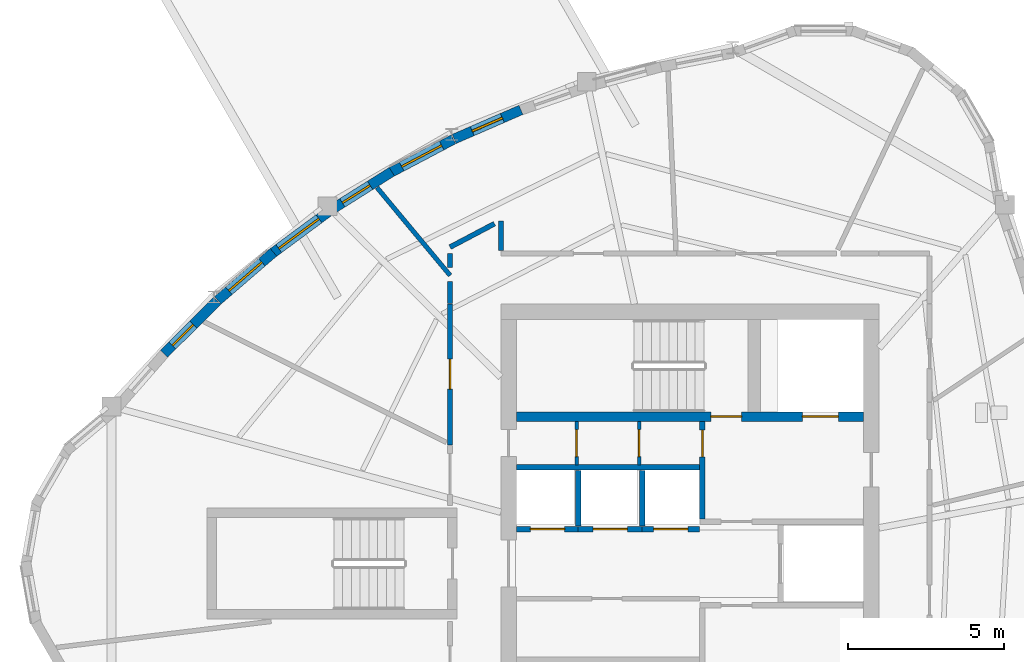
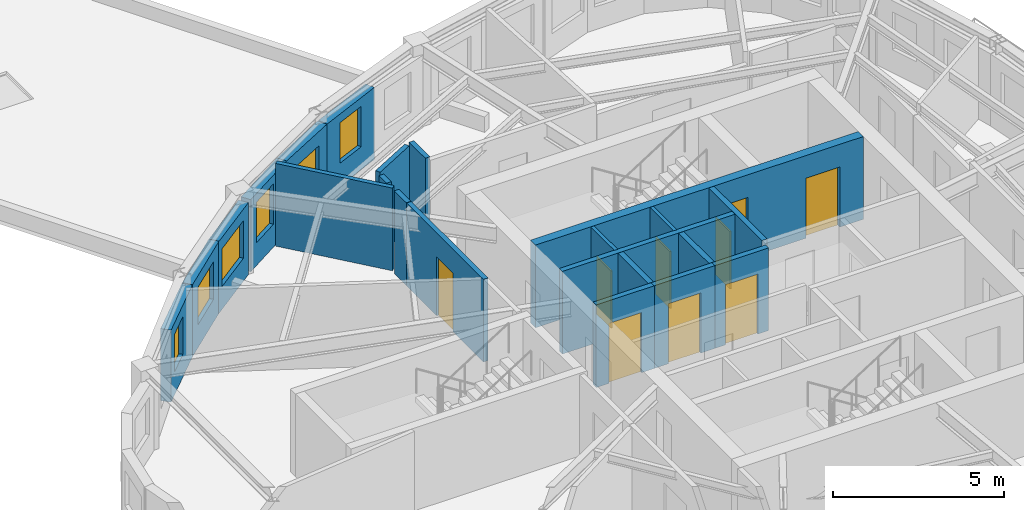
# One storey, part 5 of 11: 22 walls, 9 doors, 6 windows, 15 openings.
"""IFC4 building model written with IfcOpenShell, lengths in metres."""

import ifcopenshell
import ifcopenshell.guid

model = None  # the IFC model being written
_history = None  # IfcOwnerHistory: only IFC2X3 demands one
_inside = {}  # id of a spatial element -> (the spatial element, [elements in it])
_under = {}  # id of a project, library or spatial element -> (it, [spatial elements below it])
_declared = {}  # id of a project -> (the project, [libraries it declares])
_typed = {}  # id of a type object -> (the type object, [elements of that type])
_made_of = {}  # id of a material, layer set ... -> (it, [elements and type objects made of it])


def new_model(schema):
    """Start an empty IFC model of exactly this schema.

    Asked for "IFC4X3", IfcOpenShell would pick the latest addendum, in which some entities
    have other attributes; the version numbers below select the first issue.
    IFC2X3 requires an IfcOwnerHistory on every rooted entity: one is made here for all.
    """
    global model, _history
    if schema == "IFC4X3":
        model = ifcopenshell.file(schema_version=(4, 3, 0, 0))
    else:
        model = ifcopenshell.file(schema=schema)
    _inside.clear()
    _under.clear()
    _declared.clear()
    _typed.clear()
    _made_of.clear()
    _history = None
    if model.schema == "IFC2X3":
        org = make("IfcOrganization", Name="unknown")
        user = make(
            "IfcPersonAndOrganization",
            ThePerson=make("IfcPerson", FamilyName="unknown"),
            TheOrganization=org,
        )
        app = make(
            "IfcApplication",
            ApplicationDeveloper=org,
            Version="unknown",
            ApplicationFullName="unknown",
            ApplicationIdentifier="unknown",
        )
        _history = make(
            "IfcOwnerHistory",
            OwningUser=user,
            OwningApplication=app,
            ChangeAction="ADDED",
            CreationDate=0,
        )
    return model


def make(cls, **values):
    """One entity of the class cls with the attributes given. An attribute that is None is left unset."""
    return model.create_entity(
        cls, **{name: value for name, value in values.items() if value is not None}
    )


def rooted(cls, **values):
    """An entity with a GlobalId (a new one), such as an element, a storey or a relation."""
    return make(cls, GlobalId=ifcopenshell.guid.new(), OwnerHistory=_history, **values)


def si_unit(unit_type, name, prefix=None):
    """IfcSIUnit, for example si_unit("LENGTHUNIT", "METRE", prefix="MILLI")."""
    return make("IfcSIUnit", UnitType=unit_type, Prefix=prefix, Name=name)


def assignment(units):
    """IfcUnitAssignment: the units of a project."""
    return None if units is None else make("IfcUnitAssignment", Units=units)


def point(xyz):
    """IfcCartesianPoint."""
    return None if xyz is None else make("IfcCartesianPoint", Coordinates=xyz)


def direction(xyz):
    """IfcDirection."""
    return None if xyz is None else make("IfcDirection", DirectionRatios=xyz)


def frame(location, z_axis=None, x_axis=None):
    """IfcAxis2Placement3D, a coordinate frame: its origin and axes. An axis left out is left unset."""
    return make(
        "IfcAxis2Placement3D",
        Location=point(location),
        Axis=direction(z_axis),
        RefDirection=direction(x_axis),
    )


def frame_2d(location, x_axis=None):
    """IfcAxis2Placement2D, a coordinate frame in the plane: its origin and x axis."""
    return make(
        "IfcAxis2Placement2D", Location=point(location), RefDirection=direction(x_axis)
    )


def origin():
    """The frame at (0, 0, 0) with its axes left unset."""
    return frame((0.0, 0.0, 0.0))


def place(relative_to, where):
    """IfcLocalPlacement: puts the frame where relative to a parent placement (None: the world)."""
    return make(
        "IfcLocalPlacement", PlacementRelTo=relative_to, RelativePlacement=where
    )


def context(
    kind, dimensions, precision=None, world=None, true_north=None, identifier=None
):
    """IfcGeometricRepresentationContext, for example the 3D "Model" context."""
    return make(
        "IfcGeometricRepresentationContext",
        ContextIdentifier=identifier,
        ContextType=kind,
        CoordinateSpaceDimension=dimensions,
        Precision=precision,
        WorldCoordinateSystem=world,
        TrueNorth=true_north,
    )


def subcontext(parent, identifier, kind, view, scale=None):
    """IfcGeometricRepresentationSubContext, for example "Body" below "Model"."""
    return make(
        "IfcGeometricRepresentationSubContext",
        ContextIdentifier=identifier,
        ContextType=kind,
        ParentContext=parent,
        TargetScale=scale,
        TargetView=view,
    )


def project(units=None, contexts=None):
    """IfcProject with its units and contexts."""
    return rooted(
        "IfcProject",
        Name="project",
        RepresentationContexts=contexts,
        UnitsInContext=assignment(units),
    )


def spatial(cls, under=None, at=None, **own):
    """A site, building, storey or space (cls), placed at a placement, below another one or the project."""
    s = rooted(cls, ObjectPlacement=at, **own)
    if under is not None:
        _under.setdefault(under.id(), (under, []))[1].append(s)
    return s


def profile(cls, at=None, kind="AREA", **sizes):
    """A parametric profile (cls). Its sizes go by their IFC names, for example OverallWidth=200.0."""
    return make(cls, ProfileType=kind, Position=at, **sizes)


def rectangle(**sizes):
    """IfcRectangleProfileDef."""
    return profile("IfcRectangleProfileDef", **sizes)


def extrude(swept, where, along, depth):
    """IfcExtrudedAreaSolid: the profile swept, set in the frame where, extruded along a direction by depth."""
    return make(
        "IfcExtrudedAreaSolid",
        SweptArea=swept,
        Position=where,
        ExtrudedDirection=direction(along),
        Depth=depth,
    )


def shape(context_of_items, identifier, shape_type, items):
    """IfcShapeRepresentation: the items that make up one representation, for example the "Body"."""
    return make(
        "IfcShapeRepresentation",
        ContextOfItems=context_of_items,
        RepresentationIdentifier=identifier,
        RepresentationType=shape_type,
        Items=items,
    )


def source(mapping_origin, context_of_items, identifier, shape_type, items):
    """IfcRepresentationMap: a shape defined once, which mapped items show again and again."""
    return make(
        "IfcRepresentationMap",
        MappingOrigin=mapping_origin,
        MappedRepresentation=shape(context_of_items, identifier, shape_type, items),
    )


def transform(
    local_origin,
    x_axis=None,
    y_axis=None,
    z_axis=None,
    scale=None,
    scale2=None,
    scale3=None,
    uniform=True,
):
    """IfcCartesianTransformationOperator3D, or its non-uniform kind. x_axis, y_axis, z_axis: its Axis1, 2, 3."""
    if uniform:
        return make(
            "IfcCartesianTransformationOperator3D",
            Axis1=direction(x_axis),
            Axis2=direction(y_axis),
            LocalOrigin=point(local_origin),
            Scale=scale,
            Axis3=direction(z_axis),
        )
    return make(
        "IfcCartesianTransformationOperator3DnonUniform",
        Axis1=direction(x_axis),
        Axis2=direction(y_axis),
        LocalOrigin=point(local_origin),
        Scale=scale,
        Axis3=direction(z_axis),
        Scale2=scale2,
        Scale3=scale3,
    )


def mapped(mapping_source, mapping_target):
    """IfcMappedItem: shows the shape of a source again, moved by a transform."""
    return make(
        "IfcMappedItem", MappingSource=mapping_source, MappingTarget=mapping_target
    )


def material(Name=None, Category=None):
    """IfcMaterial."""
    return make("IfcMaterial", Name=Name, Category=Category)


def layer(
    of_material, thickness, ventilated=None, Name=None, Category=None, Priority=None
):
    """IfcMaterialLayer: one layer of a wall or slab, of a material (None: an air gap)."""
    return make(
        "IfcMaterialLayer",
        Material=of_material,
        LayerThickness=thickness,
        IsVentilated=ventilated,
        Name=Name,
        Category=Category,
        Priority=Priority,
    )


def layer_set(layers, Name=None):
    """IfcMaterialLayerSet."""
    return make("IfcMaterialLayerSet", MaterialLayers=layers, LayerSetName=Name)


def made_of(thing, what):
    """Note that an element or type object is made of a material, layer set ...; save() writes the relation."""
    if what is not None:
        _made_of.setdefault(what.id(), (what, []))[1].append(thing)
    return thing


def type_object(cls, material=None, **own):
    """A type object (cls), such as IfcWallType, which elements share."""
    return made_of(rooted(cls, **own), material)


def element(
    cls,
    number,
    at=None,
    inside=None,
    cuts=None,
    type_object=None,
    material=None,
    context=None,
    identifier="Body",
    shape_type=None,
    held_by="IfcProductDefinitionShape",
    body=None,
    shapes=None,
    **own,
):
    """One element of the class cls, such as IfcWall. Its Tag is "e" and its number.

    at: its placement. inside: the storey or other place that contains it. cuts: it is an
    opening in that element (IfcRelVoidsElement). A single representation is given by context,
    identifier, shape_type and body (its items); several are given by shapes. held_by: the class
    of the entity that holds the representations. save() writes the other relations.
    """
    e = rooted(cls, Tag="e%d" % number, ObjectPlacement=at, **own)
    if body is not None:
        shapes = [shape(context, identifier, shape_type, body)]
    if shapes is not None:
        e.Representation = make(held_by, Representations=shapes)
    if inside is not None:
        _inside.setdefault(inside.id(), (inside, []))[1].append(e)
    if cuts is not None:
        rooted(
            "IfcRelVoidsElement", RelatingBuildingElement=cuts, RelatedOpeningElement=e
        )
    if type_object is not None:
        _typed.setdefault(type_object.id(), (type_object, []))[1].append(e)
    return made_of(e, material)


def fill(opening, filler):
    """IfcRelFillsElement: the door or window that sits in an opening."""
    return rooted(
        "IfcRelFillsElement",
        RelatingOpeningElement=opening,
        RelatedBuildingElement=filler,
    )


def aggregate(whole, parts):
    """IfcRelAggregates: a whole, such as a stair, and the parts it consists of."""
    return rooted("IfcRelAggregates", RelatingObject=whole, RelatedObjects=parts)


def save(model, path):
    """Write the relations noted so far, then the file.

    IfcRelAggregates (storeys below a building ...), IfcRelContainedInSpatialStructure (elements
    in a storey), IfcRelDefinesByType, IfcRelAssociatesMaterial and IfcRelDeclares: one each for
    every whole, place, type object, material and project.
    """
    for whole, parts in _under.values():
        aggregate(whole, parts)
    for where, things in _inside.values():
        rooted(
            "IfcRelContainedInSpatialStructure",
            RelatedElements=things,
            RelatingStructure=where,
        )
    for kind, things in _typed.values():
        rooted("IfcRelDefinesByType", RelatedObjects=things, RelatingType=kind)
    for what, things in _made_of.values():
        rooted("IfcRelAssociatesMaterial", RelatedObjects=things, RelatingMaterial=what)
    for by, libraries in _declared.values():
        rooted("IfcRelDeclares", RelatingContext=by, RelatedDefinitions=libraries)
    model.write(path)


model = new_model("IFC4")

# Units and contexts
model_context = context("Model", 3, precision=1e-05, world=origin(), true_north=direction((0.0, 1.0)))
body_context = subcontext(model_context, "Body", "Model", "MODEL_VIEW")
ifc_project = project(units=[si_unit("LENGTHUNIT", "METRE"), si_unit("AREAUNIT", "SQUARE_METRE"), si_unit("VOLUMEUNIT", "CUBIC_METRE"), si_unit("PLANEANGLEUNIT", "RADIAN"), si_unit("MASSUNIT", "GRAM", prefix="KILO")], contexts=[model_context])

# Site, building, storey
site_placement = place(None, origin())
site = spatial("IfcSite", under=ifc_project, at=site_placement, CompositionType="ELEMENT")
building_placement = place(site_placement, origin())
building = spatial("IfcBuilding", under=site, at=building_placement, Name="Qafzar Sky-Pleat Residences", CompositionType="ELEMENT")
storey_placement = place(building_placement, frame((0.0, 0.0, 214.800048828125)))
storey = spatial("IfcBuildingStorey", under=building, at=storey_placement, Name="L64", CompositionType="ELEMENT", Elevation=214.800048828125)

# Wall, opening, door
ifc_material_1 = material(Name="Acoustic gypsum plasterboard partition", Category="gypsum")
ifc_layer_1 = layer(ifc_material_1, 0.159912109375)
ifc_layer_set_1 = layer_set([ifc_layer_1], Name="Acoustic gypsum plasterboard partition")
wall_type_1 = type_object("IfcWallType", Name="PART-COR-160", PredefinedType="PARTITIONING", material=ifc_layer_set_1)
wall_1_placement = place(storey_placement, frame((22.679931640625, 29.798095703125, 0.0), z_axis=(0.0, 0.0, 1.0), x_axis=(0.0, 1.0, 0.0)))
wall_1 = element("IfcWall", 1, at=wall_1_placement, inside=storey, type_object=wall_type_1, Name="L64 Partition Wall PART-L64-PW-005", PredefinedType="PARTITIONING", context=body_context, shape_type="SweptSolid", body=[
    extrude(rectangle(XDim=4.501953125, YDim=0.159912109375, at=frame_2d((2.2509765625, 0.0))), origin(), (0.0, 0.0, 1.0), 2.9599609375),
])
opening_1_placement = place(wall_1_placement, frame((1.779541015625, 0.0, 0.0)))
opening_1 = element("IfcOpeningElement", 2, at=opening_1_placement, cuts=wall_1, Name="Opening ID-06", PredefinedType="OPENING", context=body_context, shape_type="SweptSolid", body=[
    extrude(rectangle(XDim=0.9599609375, YDim=2.10009765625, at=frame_2d((0.47998046875, 1.050048828125))), frame((0.0, 0.08984375, 0.0), z_axis=(0.0, -1.0, 0.0), x_axis=(1.0, 0.0, 0.0)), (0.0, 0.0, 1.0), 0.179931640625),
])
ifc_material_2 = material(Name="Timber-faced fire door", Category="wood")
door_type_1 = type_object("IfcDoorType", Name="DR-STD-960", OperationType="NOTDEFINED", PredefinedType="DOOR", material=ifc_material_2)
shared_shape_1 = source(origin(), body_context, "Body", "SweptSolid", [
    extrude(rectangle(XDim=0.9599609375, YDim=2.10009765625, at=frame_2d((0.47998046875, 1.050048828125))), frame((0.0, 0.02490234375, 0.0), z_axis=(0.0, -1.0, 0.0), x_axis=(1.0, 0.0, 0.0)), (0.0, 0.0, 1.0), 0.050048828125),
])
door_1_placement = place(opening_1_placement, origin())
door_1 = element("IfcDoor", 3, at=door_1_placement, inside=storey, type_object=door_type_1, Name="L64 Wellness Yoga Studio Door", OperationType="SINGLE_SWING_RIGHT", OverallHeight=2.10009765625, OverallWidth=0.9599609375, PredefinedType="DOOR", context=body_context, shape_type="MappedRepresentation", body=[
    mapped(shared_shape_1, transform((0.0, 0.0, 0.0), x_axis=(1.0, 0.0, 0.0), y_axis=(0.0, 1.0, 0.0), z_axis=(0.0, 0.0, 1.0), scale=1.0)),
])
fill(opening_1, door_1)

# Walls
wall_2_placement = place(storey_placement, frame((22.679931640625, 36.1220703125, 0.0), z_axis=(0.0, 0.0, 1.0), x_axis=(0.884468554818, 0.466599802335, 0.0)))
element("IfcWall", 4, at=wall_2_placement, inside=storey, type_object=wall_type_1, Name="L64 Partition Wall PART-L64-PW-025", PredefinedType="PARTITIONING", context=body_context, shape_type="SweptSolid", body=[
    extrude(rectangle(XDim=1.603271484375, YDim=0.159912109375, at=frame_2d((0.8017578125, 0.0))), origin(), (0.0, 0.0, 1.0), 2.9599609375),
])
wall_3_placement = place(storey_placement, frame((24.300048828125, 36.008056640625, 0.0), z_axis=(0.0, 0.0, 1.0), x_axis=(0.0, 1.0, 0.0)))
element("IfcWall", 5, at=wall_3_placement, inside=storey, type_object=wall_type_1, Name="L64 Partition Wall PART-L64-PW-027", PredefinedType="PARTITIONING", context=body_context, shape_type="SweptSolid", body=[
    extrude(rectangle(XDim=0.949951171875, YDim=0.159912109375, at=frame_2d((0.47509765625, 0.0))), origin(), (0.0, 0.0, 1.0), 2.9599609375),
])
wall_4_placement = place(storey_placement, frame((22.679931640625, 34.31494140625, 0.0), z_axis=(0.0, 0.0, 1.0), x_axis=(0.0, 1.0, 0.0)))
element("IfcWall", 6, at=wall_4_placement, inside=storey, type_object=wall_type_1, Name="L64 Partition Wall PART-L64-PW-028", PredefinedType="PARTITIONING", context=body_context, shape_type="SweptSolid", body=[
    extrude(rectangle(XDim=0.70654296875, YDim=0.159912109375, at=frame_2d((0.353271484375, 0.0))), origin(), (0.0, 0.0, 1.0), 2.9599609375),
])
wall_5_placement = place(storey_placement, frame((22.679931640625, 35.471435546875, 0.0), z_axis=(0.0, 0.0, 1.0), x_axis=(0.0, 1.0, 0.0)))
element("IfcWall", 7, at=wall_5_placement, inside=storey, type_object=wall_type_1, Name="L64 Partition Wall PART-L64-PW-029", PredefinedType="PARTITIONING", context=body_context, shape_type="SweptSolid", body=[
    extrude(rectangle(XDim=0.448486328125, YDim=0.159912109375, at=frame_2d((0.22412109375, 0.0))), origin(), (0.0, 0.0, 1.0), 2.9599609375),
])

# Wall, opening, door
ifc_material_3 = material(Name="Concrete blockwork partition", Category="masonry")
ifc_layer_2 = layer(ifc_material_3, 0.179931640625)
ifc_layer_set_2 = layer_set([ifc_layer_2], Name="Concrete blockwork partition")
wall_type_2 = type_object("IfcWallType", Name="PART-SHAFT-180", PredefinedType="PARTITIONING", material=ifc_layer_set_2)
wall_6_placement = place(storey_placement, frame((30.75, 27.429931640625, 0.0), z_axis=(0.0, 0.0, 1.0), x_axis=(0.0, 1.0, 0.0)))
wall_6 = element("IfcWall", 8, at=wall_6_placement, inside=storey, type_object=wall_type_2, Name="L64 Partition Wall PART-L64-FFL2-W", PredefinedType="PARTITIONING", context=body_context, shape_type="SweptSolid", body=[
    extrude(rectangle(XDim=3.110107421875, YDim=0.179931640625, at=frame_2d((1.55517578125, 0.0))), origin(), (0.0, 0.0, 1.0), 2.9599609375),
])
opening_2_placement = place(wall_6_placement, frame((1.97998046875, 0.0, 0.0)))
opening_2 = element("IfcOpeningElement", 9, at=opening_2_placement, cuts=wall_6, Name="Opening ID-09", PredefinedType="OPENING", context=body_context, shape_type="SweptSolid", body=[
    extrude(rectangle(XDim=0.860107421875, YDim=2.050048828125, at=frame_2d((0.43017578125, 1.02490234375))), frame((0.0, 0.10009765625, 0.0), z_axis=(0.0, -1.0, 0.0), x_axis=(1.0, 0.0, 0.0)), (0.0, 0.0, 1.0), 0.199951171875),
])
door_type_2 = type_object("IfcDoorType", Name="DR-SVC-860", OperationType="NOTDEFINED", PredefinedType="DOOR", material=ifc_material_2)
shared_shape_2 = source(origin(), body_context, "Body", "SweptSolid", [
    extrude(rectangle(XDim=0.860107421875, YDim=2.050048828125, at=frame_2d((0.43017578125, 1.02490234375))), frame((0.0, 0.02490234375, 0.0), z_axis=(0.0, -1.0, 0.0), x_axis=(1.0, 0.0, 0.0)), (0.0, 0.0, 1.0), 0.050048828125),
])
door_2_placement = place(opening_2_placement, origin())
door_2 = element("IfcDoor", 10, at=door_2_placement, inside=storey, type_object=door_type_2, Name="L64 North Core Cupboard Door", OperationType="SINGLE_SWING_LEFT", OverallHeight=2.050048828125, OverallWidth=0.860107421875, PredefinedType="DOOR", context=body_context, shape_type="MappedRepresentation", body=[
    mapped(shared_shape_2, transform((0.0, 0.0, 0.0), x_axis=(1.0, 0.0, 0.0), y_axis=(0.0, 1.0, 0.0), z_axis=(0.0, 0.0, 1.0), scale=1.0)),
])
fill(opening_2, door_2)

# Wall
wall_7_placement = place(storey_placement, frame((24.81005859375, 29.080078125, 0.0), z_axis=(0.0, 0.0, 1.0), x_axis=(1.0, 0.0, 0.0)))
element("IfcWall", 11, at=wall_7_placement, inside=storey, type_object=wall_type_2, Name="L64 Partition Wall PART-L64-P46-N", PredefinedType="PARTITIONING", context=body_context, shape_type="SweptSolid", body=[
    extrude(rectangle(XDim=5.83984375, YDim=0.179931640625, at=frame_2d((2.919921875, 0.0))), origin(), (0.0, 0.0, 1.0), 2.9599609375),
])

# Wall, opening, door
wall_8_placement = place(storey_placement, frame((24.81005859375, 27.10009765625, 0.0), z_axis=(0.0, 0.0, 1.0), x_axis=(1.0, 0.0, 0.0)))
wall_8 = element("IfcWall", 12, at=wall_8_placement, inside=storey, type_object=wall_type_2, Name="L64 Partition Wall PART-L64-P4-S", PredefinedType="PARTITIONING", context=body_context, shape_type="SweptSolid", body=[
    extrude(rectangle(XDim=1.96484375, YDim=0.179931640625, at=frame_2d((0.982421875, 0.0))), origin(), (0.0, 0.0, 1.0), 2.9599609375),
])
opening_3_placement = place(wall_8_placement, frame((0.4326171875, 0.0, 0.0)))
opening_3 = element("IfcOpeningElement", 13, at=opening_3_placement, cuts=wall_8, Name="Opening LD-01", PredefinedType="OPENING", context=body_context, shape_type="SweptSolid", body=[
    extrude(rectangle(XDim=1.10009765625, YDim=2.14990234375, at=frame_2d((0.550048828125, 1.074951171875))), frame((0.0, 0.10009765625, 0.0), z_axis=(0.0, -1.0, 0.0), x_axis=(1.0, 0.0, 0.0)), (0.0, 0.0, 1.0), 0.199951171875),
])
ifc_material_4 = material(Name="Stainless steel sliding landing door", Category="steel")
door_type_3 = type_object("IfcDoorType", Name="DR-LIFT-P", OperationType="DOUBLE_DOOR_SLIDING", PredefinedType="DOOR", material=ifc_material_4)
shared_shape_3 = source(origin(), body_context, "Body", "SweptSolid", [
    extrude(rectangle(XDim=1.10009765625, YDim=2.14990234375, at=frame_2d((0.550048828125, 1.074951171875))), frame((0.0, 0.02490234375, 0.0), z_axis=(0.0, -1.0, 0.0), x_axis=(1.0, 0.0, 0.0)), (0.0, 0.0, 1.0), 0.050048828125),
])
door_3_placement = place(opening_3_placement, origin())
door_3 = element("IfcDoor", 14, at=door_3_placement, inside=storey, type_object=door_type_3, Name="L64 Passenger Lift P4 Landing Door", OperationType="DOUBLE_DOOR_SLIDING", OverallHeight=2.14990234375, OverallWidth=1.10009765625, PredefinedType="DOOR", context=body_context, shape_type="MappedRepresentation", body=[
    mapped(shared_shape_3, transform((0.0, 0.0, 0.0), x_axis=(1.0, 0.0, 0.0), y_axis=(0.0, 1.0, 0.0), z_axis=(0.0, 0.0, 1.0), scale=1.0)),
])
fill(opening_3, door_3)

wall_9_placement = place(storey_placement, frame((26.77490234375, 27.10009765625, 0.0), z_axis=(0.0, 0.0, 1.0), x_axis=(1.0, 0.0, 0.0)))
wall_9 = element("IfcWall", 15, at=wall_9_placement, inside=storey, type_object=wall_type_2, Name="L64 Partition Wall PART-L64-P5-S", PredefinedType="PARTITIONING", context=body_context, shape_type="SweptSolid", body=[
    extrude(rectangle(XDim=2.050048828125, YDim=0.179931640625, at=frame_2d((1.02490234375, 0.0))), origin(), (0.0, 0.0, 1.0), 2.9599609375),
])
opening_4_placement = place(wall_9_placement, frame((0.47509765625, 0.0, 0.0)))
opening_4 = element("IfcOpeningElement", 16, at=opening_4_placement, cuts=wall_9, Name="Opening LD-01", PredefinedType="OPENING", context=body_context, shape_type="SweptSolid", body=[
    extrude(rectangle(XDim=1.10009765625, YDim=2.14990234375, at=frame_2d((0.550048828125, 1.074951171875))), frame((0.0, 0.10009765625, 0.0), z_axis=(0.0, -1.0, 0.0), x_axis=(1.0, 0.0, 0.0)), (0.0, 0.0, 1.0), 0.199951171875),
])
door_4_placement = place(opening_4_placement, origin())
door_4 = element("IfcDoor", 17, at=door_4_placement, inside=storey, type_object=door_type_3, Name="L64 Passenger Lift P5 Landing Door", OperationType="DOUBLE_DOOR_SLIDING", OverallHeight=2.14990234375, OverallWidth=1.10009765625, PredefinedType="DOOR", context=body_context, shape_type="MappedRepresentation", body=[
    mapped(shared_shape_3, transform((0.0, 0.0, 0.0), x_axis=(1.0, 0.0, 0.0), y_axis=(0.0, 1.0, 0.0), z_axis=(0.0, 0.0, 1.0), scale=1.0)),
])
fill(opening_4, door_4)

# Wall
wall_10_placement = place(storey_placement, frame((26.77490234375, 27.199951171875, 0.0), z_axis=(0.0, 0.0, 1.0), x_axis=(0.0, 1.0, 0.0)))
element("IfcWall", 18, at=wall_10_placement, inside=storey, type_object=wall_type_2, Name="L64 Partition Wall PART-L64-P46-DIV-1", PredefinedType="PARTITIONING", context=body_context, shape_type="SweptSolid", body=[
    extrude(rectangle(XDim=1.780029296875, YDim=0.179931640625, at=frame_2d((0.89013671875, 0.0))), origin(), (0.0, 0.0, 1.0), 2.9599609375),
])

# Wall, opening, door
wall_11_placement = place(storey_placement, frame((28.824951171875, 27.10009765625, 0.0), z_axis=(0.0, 0.0, 1.0), x_axis=(1.0, 0.0, 0.0)))
wall_11 = element("IfcWall", 19, at=wall_11_placement, inside=storey, type_object=wall_type_2, Name="L64 Partition Wall PART-L64-P6-S", PredefinedType="PARTITIONING", context=body_context, shape_type="SweptSolid", body=[
    extrude(rectangle(XDim=1.824951171875, YDim=0.179931640625, at=frame_2d((0.91259765625, 0.0))), origin(), (0.0, 0.0, 1.0), 2.9599609375),
])
opening_5_placement = place(wall_11_placement, frame((0.362548828125, 0.0, 0.0)))
opening_5 = element("IfcOpeningElement", 20, at=opening_5_placement, cuts=wall_11, Name="Opening LD-01", PredefinedType="OPENING", context=body_context, shape_type="SweptSolid", body=[
    extrude(rectangle(XDim=1.10009765625, YDim=2.14990234375, at=frame_2d((0.550048828125, 1.074951171875))), frame((0.0, 0.10009765625, 0.0), z_axis=(0.0, -1.0, 0.0), x_axis=(1.0, 0.0, 0.0)), (0.0, 0.0, 1.0), 0.199951171875),
])
door_5_placement = place(opening_5_placement, origin())
door_5 = element("IfcDoor", 21, at=door_5_placement, inside=storey, type_object=door_type_3, Name="L64 Passenger Lift P6 Landing Door", OperationType="DOUBLE_DOOR_SLIDING", OverallHeight=2.14990234375, OverallWidth=1.10009765625, PredefinedType="DOOR", context=body_context, shape_type="MappedRepresentation", body=[
    mapped(shared_shape_3, transform((0.0, 0.0, 0.0), x_axis=(1.0, 0.0, 0.0), y_axis=(0.0, 1.0, 0.0), z_axis=(0.0, 0.0, 1.0), scale=1.0)),
])
fill(opening_5, door_5)

# Wall
wall_12_placement = place(storey_placement, frame((28.824951171875, 27.199951171875, 0.0), z_axis=(0.0, 0.0, 1.0), x_axis=(0.0, 1.0, 0.0)))
element("IfcWall", 22, at=wall_12_placement, inside=storey, type_object=wall_type_2, Name="L64 Partition Wall PART-L64-P46-DIV-2", PredefinedType="PARTITIONING", context=body_context, shape_type="SweptSolid", body=[
    extrude(rectangle(XDim=1.780029296875, YDim=0.179931640625, at=frame_2d((0.89013671875, 0.0))), origin(), (0.0, 0.0, 1.0), 2.9599609375),
])

# Wall, opening, door
ifc_material_5 = material(Name="Gypsum plasterboard partition", Category="gypsum")
ifc_layer_3 = layer(ifc_material_5, 0.114990234375)
ifc_layer_set_3 = layer_set([ifc_layer_3], Name="Gypsum plasterboard partition")
wall_type_3 = type_object("IfcWallType", Name="PART-SVC-115", PredefinedType="PARTITIONING", material=ifc_layer_set_3)
wall_13_placement = place(storey_placement, frame((26.72509765625, 29.159912109375, 0.0), z_axis=(0.0, 0.0, 1.0), x_axis=(0.0, 1.0, 0.0)))
wall_13 = element("IfcWall", 23, at=wall_13_placement, inside=storey, type_object=wall_type_3, Name="L64 Partition Wall PART-L64-KC-NW-1", PredefinedType="PARTITIONING", context=body_context, shape_type="SweptSolid", body=[
    extrude(rectangle(XDim=1.380126953125, YDim=0.114990234375, at=frame_2d((0.68994140625, 0.0))), origin(), (0.0, 0.0, 1.0), 2.9599609375),
])
opening_6_placement = place(wall_13_placement, frame((0.260009765625, 0.0, 0.0)))
opening_6 = element("IfcOpeningElement", 24, at=opening_6_placement, cuts=wall_13, Name="Opening ID-09", PredefinedType="OPENING", context=body_context, shape_type="SweptSolid", body=[
    extrude(rectangle(XDim=0.860107421875, YDim=2.050048828125, at=frame_2d((0.43017578125, 1.02490234375))), frame((0.0, 0.0673828125, 0.0), z_axis=(0.0, -1.0, 0.0), x_axis=(1.0, 0.0, 0.0)), (0.0, 0.0, 1.0), 0.135009765625),
])
door_6_placement = place(opening_6_placement, origin())
door_6 = element("IfcDoor", 25, at=door_6_placement, inside=storey, type_object=door_type_2, Name="L64 Core North Cupboard 1 Door", OperationType="SINGLE_SWING_LEFT", OverallHeight=2.050048828125, OverallWidth=0.860107421875, PredefinedType="DOOR", context=body_context, shape_type="MappedRepresentation", body=[
    mapped(shared_shape_2, transform((0.0, 0.0, 0.0), x_axis=(1.0, 0.0, 0.0), y_axis=(0.0, 1.0, 0.0), z_axis=(0.0, 0.0, 1.0), scale=1.0)),
])
fill(opening_6, door_6)

wall_14_placement = place(storey_placement, frame((28.72509765625, 29.159912109375, 0.0), z_axis=(0.0, 0.0, 1.0), x_axis=(0.0, 1.0, 0.0)))
wall_14 = element("IfcWall", 26, at=wall_14_placement, inside=storey, type_object=wall_type_3, Name="L64 Partition Wall PART-L64-KC-NW-2", PredefinedType="PARTITIONING", context=body_context, shape_type="SweptSolid", body=[
    extrude(rectangle(XDim=1.380126953125, YDim=0.114990234375, at=frame_2d((0.68994140625, 0.0))), origin(), (0.0, 0.0, 1.0), 2.9599609375),
])
opening_7_placement = place(wall_14_placement, frame((0.260009765625, 0.0, 0.0)))
opening_7 = element("IfcOpeningElement", 27, at=opening_7_placement, cuts=wall_14, Name="Opening ID-09", PredefinedType="OPENING", context=body_context, shape_type="SweptSolid", body=[
    extrude(rectangle(XDim=0.860107421875, YDim=2.050048828125, at=frame_2d((0.43017578125, 1.02490234375))), frame((0.0, 0.0673828125, 0.0), z_axis=(0.0, -1.0, 0.0), x_axis=(1.0, 0.0, 0.0)), (0.0, 0.0, 1.0), 0.135009765625),
])
door_7_placement = place(opening_7_placement, origin())
door_7 = element("IfcDoor", 28, at=door_7_placement, inside=storey, type_object=door_type_2, Name="L64 Core North Cupboard 2 Door", OperationType="SINGLE_SWING_LEFT", OverallHeight=2.050048828125, OverallWidth=0.860107421875, PredefinedType="DOOR", context=body_context, shape_type="MappedRepresentation", body=[
    mapped(shared_shape_2, transform((0.0, 0.0, 0.0), x_axis=(1.0, 0.0, 0.0), y_axis=(0.0, 1.0, 0.0), z_axis=(0.0, 0.0, 1.0), scale=1.0)),
])
fill(opening_7, door_7)

# Wall
ifc_layer_4 = layer(ifc_material_1, 0.14501953125)
ifc_layer_set_4 = layer_set([ifc_layer_4], Name="Acoustic gypsum plasterboard partition")
wall_type_4 = type_object("IfcWallType", Name="PART-UNIT-145", PredefinedType="PARTITIONING", material=ifc_layer_set_4)
wall_15_placement = place(storey_placement, frame((20.3408203125, 38.025390625, 0.0), z_axis=(0.0, 0.0, 1.0), x_axis=(0.639731122463, -0.768598784121, 0.0)))
element("IfcWall", 29, at=wall_15_placement, inside=storey, type_object=wall_type_4, Name="L64 Partition Wall PART-L64-PW-020", PredefinedType="PARTITIONING", context=body_context, shape_type="SweptSolid", body=[
    extrude(rectangle(XDim=3.656494140625, YDim=0.14501953125, at=frame_2d((1.828125, 0.0))), origin(), (0.0, 0.0, 1.0), 2.9599609375),
])

# Wall, opening, window
ifc_material_6 = material(Name="Precast concrete C40/50 with honed Riyadh limestone", Category="concrete")
ifc_layer_5 = layer(ifc_material_6, 0.320068359375)
ifc_layer_set_5 = layer_set([ifc_layer_5], Name="Precast concrete C40/50 with honed Riyadh limestone")
wall_type_5 = type_object("IfcWallType", Name="WALL-EXT-320", PredefinedType="SOLIDWALL", material=ifc_layer_set_5)
wall_16_placement = place(storey_placement, frame((24.9453125, 40.509765625, 0.0), z_axis=(0.0, 0.0, 1.0), x_axis=(-0.917060051629, -0.39874912126, 0.0)))
wall_16 = element("IfcWall", 30, at=wall_16_placement, inside=storey, type_object=wall_type_5, Name="L64 Limestone Facade Wall 42", PredefinedType="SOLIDWALL", context=body_context, shape_type="SweptSolid", body=[
    extrude(rectangle(XDim=2.327880859375, YDim=0.320068359375, at=frame_2d((1.1640625, 0.0))), origin(), (0.0, 0.0, 1.0), 2.579833984375),
])
opening_8_placement = place(wall_16_placement, frame((0.64892578125, 0.0, 0.820068359375)))
opening_8 = element("IfcOpeningElement", 31, at=opening_8_placement, cuts=wall_16, Name="Opening WN-06", PredefinedType="OPENING", context=body_context, shape_type="SweptSolid", body=[
    extrude(rectangle(XDim=1.050048828125, YDim=1.449951171875, at=frame_2d((0.52490234375, 0.72509765625))), frame((0.0, 0.169921875, 0.0), z_axis=(0.0, -1.0, 0.0), x_axis=(1.0, 0.0, 0.0)), (0.0, 0.0, 1.0), 0.340087890625),
])
ifc_material_7 = material(Name="Solar-control low-E glass in bronze aluminium frame", Category="glass")
window_type_1 = type_object("IfcWindowType", Name="WIN-06", PartitioningType="SINGLE_PANEL", PredefinedType="WINDOW", material=ifc_material_7)
shared_shape_4 = source(origin(), body_context, "Body", "SweptSolid", [
    extrude(rectangle(XDim=1.050048828125, YDim=1.449951171875, at=frame_2d((0.52490234375, 0.72509765625))), frame((0.0, 0.030029296875, 0.0), z_axis=(0.0, -1.0, 0.0), x_axis=(1.0, 0.0, 0.0)), (0.0, 0.0, 1.0), 0.06005859375),
])
window_1_placement = place(opening_8_placement, origin())
window_1 = element("IfcWindow", 32, at=window_1_placement, inside=storey, type_object=window_type_1, Name="L64 Punched Facade Window 42", OverallHeight=1.449951171875, OverallWidth=1.050048828125, PartitioningType="SINGLE_PANEL", PredefinedType="WINDOW", context=body_context, shape_type="MappedRepresentation", body=[
    mapped(shared_shape_4, transform((0.0, 0.0, 0.0), x_axis=(1.0, 0.0, 0.0), y_axis=(0.0, 1.0, 0.0), z_axis=(0.0, 0.0, 1.0), scale=1.0)),
])
fill(opening_8, window_1)

wall_17_placement = place(storey_placement, frame((22.785400390625, 39.569580078125, 0.0), z_axis=(0.0, 0.0, 1.0), x_axis=(-0.884379914657, -0.466767786541, 0.0)))
wall_17 = element("IfcWall", 33, at=wall_17_placement, inside=storey, type_object=wall_type_5, Name="L64 Limestone Facade Wall 43", PredefinedType="SOLIDWALL", context=body_context, shape_type="SweptSolid", body=[
    extrude(rectangle(XDim=2.314453125, YDim=0.320068359375, at=frame_2d((1.1572265625, 0.0))), origin(), (0.0, 0.0, 1.0), 2.579833984375),
])
opening_9_placement = place(wall_17_placement, frame((0.42236328125, 0.0, 0.820068359375)))
opening_9 = element("IfcOpeningElement", 34, at=opening_9_placement, cuts=wall_17, Name="Opening WN-15", PredefinedType="OPENING", context=body_context, shape_type="SweptSolid", body=[
    extrude(rectangle(XDim=1.449951171875, YDim=1.25, at=frame_2d((0.72509765625, 0.625))), frame((0.0, 0.169921875, 0.0), z_axis=(0.0, -1.0, 0.0), x_axis=(1.0, 0.0, 0.0)), (0.0, 0.0, 1.0), 0.340087890625),
])
window_type_2 = type_object("IfcWindowType", Name="WIN-15", PartitioningType="SINGLE_PANEL", PredefinedType="WINDOW", material=ifc_material_7)
shared_shape_5 = source(origin(), body_context, "Body", "SweptSolid", [
    extrude(rectangle(XDim=1.449951171875, YDim=1.25, at=frame_2d((0.72509765625, 0.625))), frame((0.0, 0.030029296875, 0.0), z_axis=(0.0, -1.0, 0.0), x_axis=(1.0, 0.0, 0.0)), (0.0, 0.0, 1.0), 0.06005859375),
])
window_2_placement = place(opening_9_placement, origin())
window_2 = element("IfcWindow", 35, at=window_2_placement, inside=storey, type_object=window_type_2, Name="L64 Punched Facade Window 43", OverallHeight=1.25, OverallWidth=1.449951171875, PartitioningType="SINGLE_PANEL", PredefinedType="WINDOW", context=body_context, shape_type="MappedRepresentation", body=[
    mapped(shared_shape_5, transform((0.0, 0.0, 0.0), x_axis=(1.0, 0.0, 0.0), y_axis=(0.0, 1.0, 0.0), z_axis=(0.0, 0.0, 1.0), scale=1.0)),
])
fill(opening_9, window_2)

wall_18_placement = place(storey_placement, frame((20.814697265625, 38.533203125, 0.0), z_axis=(0.0, 0.0, 1.0), x_axis=(-0.846418054627, -0.532518991963, 0.0)))
wall_18 = element("IfcWall", 36, at=wall_18_placement, inside=storey, type_object=wall_type_5, Name="L64 Limestone Facade Wall 44", PredefinedType="SOLIDWALL", context=body_context, shape_type="SweptSolid", body=[
    extrude(rectangle(XDim=2.24462890625, YDim=0.320068359375, at=frame_2d((1.122314453125, 0.0))), origin(), (0.0, 0.0, 1.0), 2.579833984375),
])
opening_10_placement = place(wall_18_placement, frame((0.81982421875, 0.0, 0.820068359375)))
opening_10 = element("IfcOpeningElement", 37, at=opening_10_placement, cuts=wall_18, Name="Opening WN-06", PredefinedType="OPENING", context=body_context, shape_type="SweptSolid", body=[
    extrude(rectangle(XDim=1.050048828125, YDim=1.449951171875, at=frame_2d((0.52490234375, 0.72509765625))), frame((0.0, 0.169921875, 0.0), z_axis=(0.0, -1.0, 0.0), x_axis=(1.0, 0.0, 0.0)), (0.0, 0.0, 1.0), 0.340087890625),
])
window_3_placement = place(opening_10_placement, origin())
window_3 = element("IfcWindow", 38, at=window_3_placement, inside=storey, type_object=window_type_1, Name="L64 Punched Facade Window 44-2", OverallHeight=1.449951171875, OverallWidth=1.050048828125, PartitioningType="SINGLE_PANEL", PredefinedType="WINDOW", context=body_context, shape_type="MappedRepresentation", body=[
    mapped(shared_shape_4, transform((0.0, 0.0, 0.0), x_axis=(1.0, 0.0, 0.0), y_axis=(0.0, 1.0, 0.0), z_axis=(0.0, 0.0, 1.0), scale=1.0)),
])
fill(opening_10, window_3)

wall_19_placement = place(storey_placement, frame((18.7763671875, 37.243408203125, 0.0), z_axis=(0.0, 0.0, 1.0), x_axis=(-0.803798468353, -0.594901691267, 0.0)))
wall_19 = element("IfcWall", 39, at=wall_19_placement, inside=storey, type_object=wall_type_5, Name="L64 Limestone Facade Wall 45", PredefinedType="SOLIDWALL", context=body_context, shape_type="SweptSolid", body=[
    extrude(rectangle(XDim=2.258056640625, YDim=0.320068359375, at=frame_2d((1.12890625, 0.0))), origin(), (0.0, 0.0, 1.0), 2.579833984375),
])
opening_11_placement = place(wall_19_placement, frame((0.364013671875, 0.0, 0.820068359375)))
opening_11 = element("IfcOpeningElement", 40, at=opening_11_placement, cuts=wall_19, Name="Opening WN-09", PredefinedType="OPENING", context=body_context, shape_type="SweptSolid", body=[
    extrude(rectangle(XDim=1.60009765625, YDim=1.35009765625, at=frame_2d((0.800048828125, 0.675048828125))), frame((0.0, 0.169921875, 0.0), z_axis=(0.0, -1.0, 0.0), x_axis=(1.0, 0.0, 0.0)), (0.0, 0.0, 1.0), 0.340087890625),
])
window_type_3 = type_object("IfcWindowType", Name="WIN-09", PartitioningType="DOUBLE_PANEL_VERTICAL", PredefinedType="WINDOW", material=ifc_material_7)
shared_shape_6 = source(origin(), body_context, "Body", "SweptSolid", [
    extrude(rectangle(XDim=1.60009765625, YDim=1.35009765625, at=frame_2d((0.800048828125, 0.675048828125))), frame((0.0, 0.030029296875, 0.0), z_axis=(0.0, -1.0, 0.0), x_axis=(1.0, 0.0, 0.0)), (0.0, 0.0, 1.0), 0.06005859375),
])
window_4_placement = place(opening_11_placement, origin())
window_4 = element("IfcWindow", 41, at=window_4_placement, inside=storey, type_object=window_type_3, Name="L64 Punched Facade Window 45", OverallHeight=1.35009765625, OverallWidth=1.60009765625, PartitioningType="SINGLE_PANEL", PredefinedType="WINDOW", context=body_context, shape_type="MappedRepresentation", body=[
    mapped(shared_shape_6, transform((0.0, 0.0, 0.0), x_axis=(1.0, 0.0, 0.0), y_axis=(0.0, 1.0, 0.0), z_axis=(0.0, 0.0, 1.0), scale=1.0)),
])
fill(opening_11, window_4)

wall_20_placement = place(storey_placement, frame((17.030029296875, 35.955078125, 0.0), z_axis=(0.0, 0.0, 1.0), x_axis=(-0.757489541562, -0.652847297937, 0.0)))
wall_20 = element("IfcWall", 42, at=wall_20_placement, inside=storey, type_object=wall_type_5, Name="L64 Limestone Facade Wall 46", PredefinedType="SOLIDWALL", context=body_context, shape_type="SweptSolid", body=[
    extrude(rectangle(XDim=2.35400390625, YDim=0.320068359375, at=frame_2d((1.177001953125, 0.0))), origin(), (0.0, 0.0, 1.0), 2.579833984375),
])
opening_12_placement = place(wall_20_placement, frame((0.487060546875, 0.0, 0.820068359375)))
opening_12 = element("IfcOpeningElement", 43, at=opening_12_placement, cuts=wall_20, Name="Opening WN-10", PredefinedType="OPENING", context=body_context, shape_type="SweptSolid", body=[
    extrude(rectangle(XDim=1.39990234375, YDim=1.35009765625, at=frame_2d((0.699951171875, 0.675048828125))), frame((0.0, 0.169921875, 0.0), z_axis=(0.0, -1.0, 0.0), x_axis=(1.0, 0.0, 0.0)), (0.0, 0.0, 1.0), 0.340087890625),
])
window_type_4 = type_object("IfcWindowType", Name="WIN-10", PartitioningType="SINGLE_PANEL", PredefinedType="WINDOW", material=ifc_material_7)
shared_shape_7 = source(origin(), body_context, "Body", "SweptSolid", [
    extrude(rectangle(XDim=1.39990234375, YDim=1.35009765625, at=frame_2d((0.699951171875, 0.675048828125))), frame((0.0, 0.030029296875, 0.0), z_axis=(0.0, -1.0, 0.0), x_axis=(1.0, 0.0, 0.0)), (0.0, 0.0, 1.0), 0.06005859375),
])
window_5_placement = place(opening_12_placement, origin())
window_5 = element("IfcWindow", 44, at=window_5_placement, inside=storey, type_object=window_type_4, Name="L64 Punched Facade Window 46", OverallHeight=1.35009765625, OverallWidth=1.39990234375, PartitioningType="SINGLE_PANEL", PredefinedType="WINDOW", context=body_context, shape_type="MappedRepresentation", body=[
    mapped(shared_shape_7, transform((0.0, 0.0, 0.0), x_axis=(1.0, 0.0, 0.0), y_axis=(0.0, 1.0, 0.0), z_axis=(0.0, 0.0, 1.0), scale=1.0)),
])
fill(opening_12, window_5)

wall_21_placement = place(storey_placement, frame((15.22607421875, 34.398681640625, 0.0), z_axis=(0.0, 0.0, 1.0), x_axis=(-0.708431997636, -0.705779076429, 0.0)))
wall_21 = element("IfcWall", 45, at=wall_21_placement, inside=storey, type_object=wall_type_5, Name="L64 Limestone Facade Wall 47", PredefinedType="SOLIDWALL", context=body_context, shape_type="SweptSolid", body=[
    extrude(rectangle(XDim=2.392822265625, YDim=0.320068359375, at=frame_2d((1.1962890625, 0.0))), origin(), (0.0, 0.0, 1.0), 2.579833984375),
])
opening_13_placement = place(wall_21_placement, frame((1.070068359375, 0.0, 0.820068359375)))
opening_13 = element("IfcOpeningElement", 46, at=opening_13_placement, cuts=wall_21, Name="Opening WN-12", PredefinedType="OPENING", context=body_context, shape_type="SweptSolid", body=[
    extrude(rectangle(XDim=0.949951171875, YDim=1.35009765625, at=frame_2d((0.47509765625, 0.675048828125))), frame((0.0, 0.169921875, 0.0), z_axis=(0.0, -1.0, 0.0), x_axis=(1.0, 0.0, 0.0)), (0.0, 0.0, 1.0), 0.340087890625),
])
window_type_5 = type_object("IfcWindowType", Name="WIN-12", PartitioningType="SINGLE_PANEL", PredefinedType="WINDOW", material=ifc_material_7)
shared_shape_8 = source(origin(), body_context, "Body", "SweptSolid", [
    extrude(rectangle(XDim=0.949951171875, YDim=1.35009765625, at=frame_2d((0.47509765625, 0.675048828125))), frame((0.0, 0.030029296875, 0.0), z_axis=(0.0, -1.0, 0.0), x_axis=(1.0, 0.0, 0.0)), (0.0, 0.0, 1.0), 0.06005859375),
])
window_6_placement = place(opening_13_placement, origin())
window_6 = element("IfcWindow", 47, at=window_6_placement, inside=storey, type_object=window_type_5, Name="L64 Punched Facade Window 47-2", OverallHeight=1.35009765625, OverallWidth=0.949951171875, PartitioningType="SINGLE_PANEL", PredefinedType="WINDOW", context=body_context, shape_type="MappedRepresentation", body=[
    mapped(shared_shape_8, transform((0.0, 0.0, 0.0), x_axis=(1.0, 0.0, 0.0), y_axis=(0.0, 1.0, 0.0), z_axis=(0.0, 0.0, 1.0), scale=1.0)),
])
fill(opening_13, window_6)

# Wall, openings, doors
ifc_material_8 = material(Name="Concrete C60/75", Category="concrete")
ifc_layer_6 = layer(ifc_material_8, 0.300048828125)
ifc_layer_set_6 = layer_set([ifc_layer_6], Name="Concrete C60/75")
wall_type_6 = type_object("IfcWallType", Name="WALL-SHEAR-300", PredefinedType="SHEAR", material=ifc_layer_set_6)
wall_22_placement = place(storey_placement, frame((24.800048828125, 30.699951171875, 0.0), z_axis=(0.0, 0.0, 1.0), x_axis=(1.0, 0.0, 0.0)))
wall_22 = element("IfcWall", 48, at=wall_22_placement, inside=storey, type_object=wall_type_6, Name="L64 Stair ST2 and FF2 Shaft South Wall", PredefinedType="SHEAR", context=body_context, shape_type="SweptSolid", body=[
    extrude(rectangle(XDim=11.099853515625, YDim=0.300048828125, at=frame_2d((5.5498046875, 0.0))), origin(), (0.0, 0.0, 1.0), 2.9599609375),
])
opening_14_placement = place(wall_22_placement, frame((6.219970703125, 0.0, 0.0)))
opening_14 = element("IfcOpeningElement", 49, at=opening_14_placement, cuts=wall_22, Name="Opening ID-01", PredefinedType="OPENING", context=body_context, shape_type="SweptSolid", body=[
    extrude(rectangle(XDim=0.97998046875, YDim=2.14990234375, at=frame_2d((0.489990234375, 1.074951171875))), frame((0.0, 0.16015625, 0.0), z_axis=(0.0, -1.0, 0.0), x_axis=(1.0, 0.0, 0.0)), (0.0, 0.0, 1.0), 0.320068359375),
])
opening_15_placement = place(wall_22_placement, frame((9.14990234375, 0.0, 0.0)))
opening_15 = element("IfcOpeningElement", 50, at=opening_15_placement, cuts=wall_22, Name="Opening LD-02", PredefinedType="OPENING", context=body_context, shape_type="SweptSolid", body=[
    extrude(rectangle(XDim=1.14990234375, YDim=2.14990234375, at=frame_2d((0.574951171875, 1.074951171875))), frame((0.0, 0.16015625, 0.0), z_axis=(0.0, -1.0, 0.0), x_axis=(1.0, 0.0, 0.0)), (0.0, 0.0, 1.0), 0.320068359375),
])
door_type_4 = type_object("IfcDoorType", Name="DR-STAIR-980", OperationType="NOTDEFINED", PredefinedType="DOOR", material=ifc_material_2)
shared_shape_9 = source(origin(), body_context, "Body", "SweptSolid", [
    extrude(rectangle(XDim=0.97998046875, YDim=2.14990234375, at=frame_2d((0.489990234375, 1.074951171875))), frame((0.0, 0.02490234375, 0.0), z_axis=(0.0, -1.0, 0.0), x_axis=(1.0, 0.0, 0.0)), (0.0, 0.0, 1.0), 0.050048828125),
])
door_8_placement = place(opening_14_placement, origin())
door_8 = element("IfcDoor", 51, at=door_8_placement, inside=storey, type_object=door_type_4, Name="L64 Stair ST2 Fire Door", OperationType="SINGLE_SWING_LEFT", OverallHeight=2.14990234375, OverallWidth=0.97998046875, PredefinedType="DOOR", context=body_context, shape_type="MappedRepresentation", body=[
    mapped(shared_shape_9, transform((0.0, 0.0, 0.0), x_axis=(1.0, 0.0, 0.0), y_axis=(0.0, 1.0, 0.0), z_axis=(0.0, 0.0, 1.0), scale=1.0)),
])
fill(opening_14, door_8)
door_type_5 = type_object("IfcDoorType", Name="DR-LIFT-FF", OperationType="DOUBLE_DOOR_SLIDING", PredefinedType="DOOR", material=ifc_material_4)
shared_shape_10 = source(origin(), body_context, "Body", "SweptSolid", [
    extrude(rectangle(XDim=1.14990234375, YDim=2.14990234375, at=frame_2d((0.574951171875, 1.074951171875))), frame((0.0, 0.02490234375, 0.0), z_axis=(0.0, -1.0, 0.0), x_axis=(1.0, 0.0, 0.0)), (0.0, 0.0, 1.0), 0.050048828125),
])
door_9_placement = place(opening_15_placement, origin())
door_9 = element("IfcDoor", 52, at=door_9_placement, inside=storey, type_object=door_type_5, Name="L64 Firefighting Lift FF2 Landing Door", OperationType="DOUBLE_DOOR_SLIDING", OverallHeight=2.14990234375, OverallWidth=1.14990234375, PredefinedType="DOOR", context=body_context, shape_type="MappedRepresentation", body=[
    mapped(shared_shape_10, transform((0.0, 0.0, 0.0), x_axis=(1.0, 0.0, 0.0), y_axis=(0.0, 1.0, 0.0), z_axis=(0.0, 0.0, 1.0), scale=1.0)),
])
fill(opening_15, door_9)

save(model, "model.ifc")
